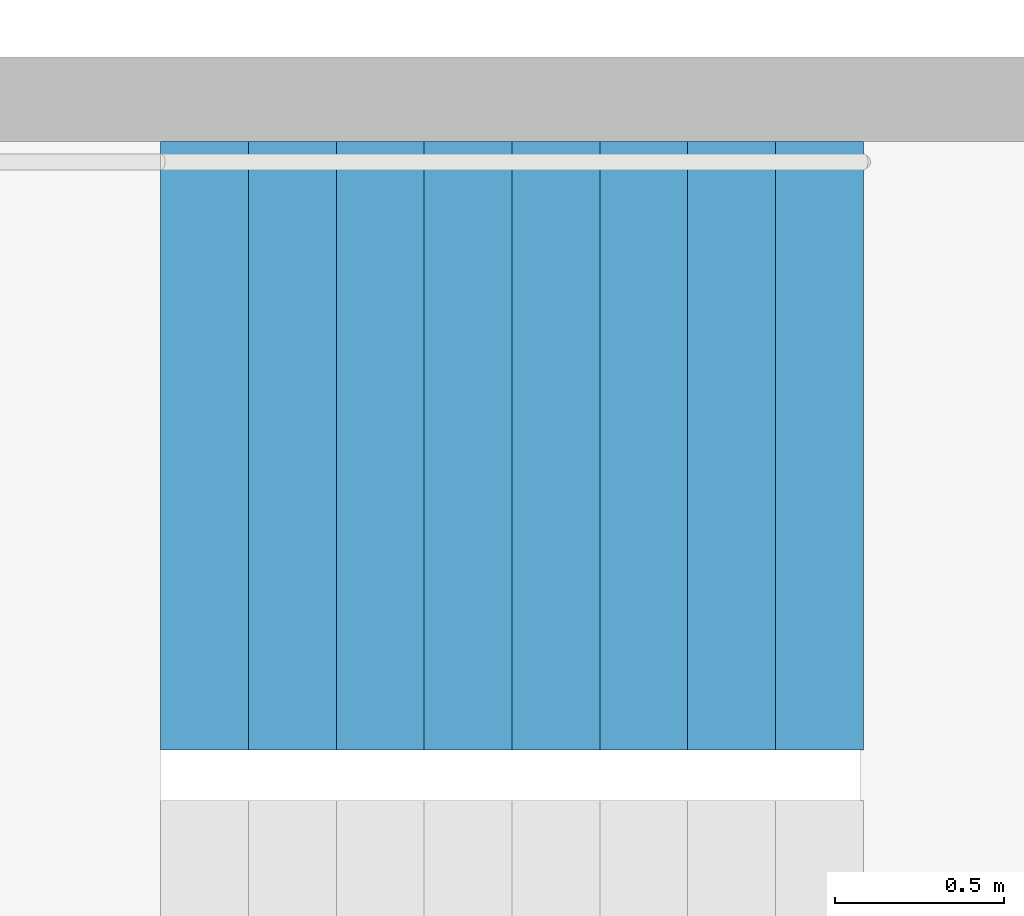
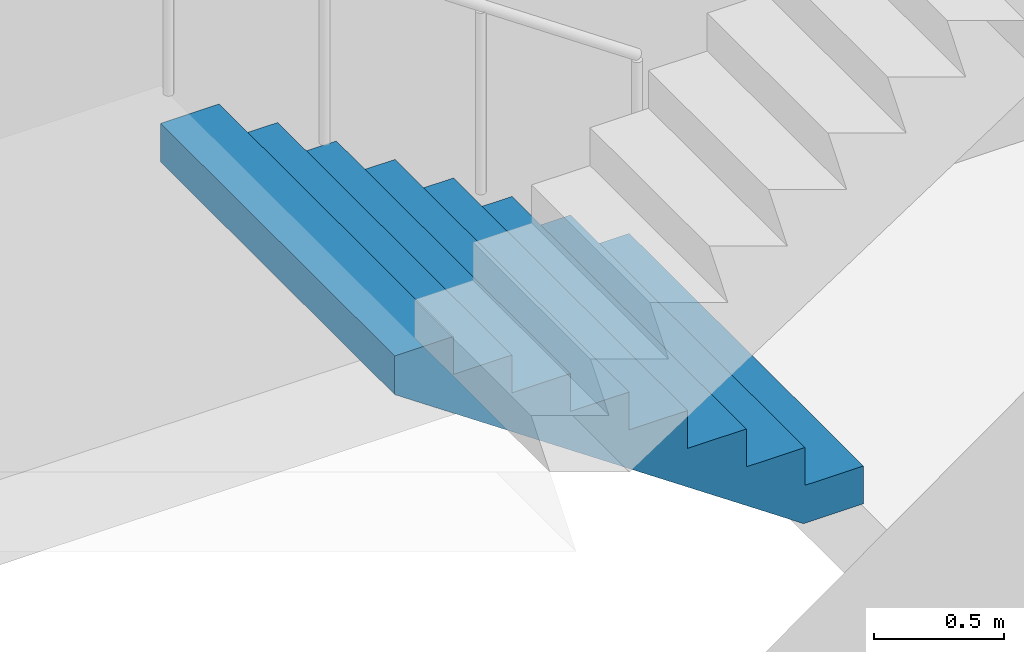
# One storey, part 22 of 29: 1 stair flight, 1 element without a shape of its own.
"""IFC4 building model written with IfcOpenShell, lengths in metres."""

from ifc_helpers import new_model, si_unit, direction, frame, origin, place, context, subcontext, project, spatial, triangles, material, type_object, element, aggregate, save


model = new_model("IFC4")

# Units and contexts
model_context = context("Model", 3, precision=1e-05, world=origin(), true_north=direction((0.0, 1.0)))
body_context = subcontext(model_context, "Body", "Model", "MODEL_VIEW")
ifc_project = project(units=[si_unit("LENGTHUNIT", "METRE"), si_unit("AREAUNIT", "SQUARE_METRE"), si_unit("VOLUMEUNIT", "CUBIC_METRE"), si_unit("PLANEANGLEUNIT", "RADIAN"), si_unit("MASSUNIT", "GRAM", prefix="KILO")], contexts=[model_context])

# Site, building, storey
site_placement = place(None, origin())
site = spatial("IfcSite", under=ifc_project, at=site_placement, CompositionType="ELEMENT")
building_placement = place(site_placement, origin())
building = spatial("IfcBuilding", under=site, at=building_placement, Name="Hakoniwa Tower and Hamabe Station Hall", CompositionType="ELEMENT")
storey_placement = place(building_placement, frame((0.0, 0.0, 85.0)))
storey = spatial("IfcBuildingStorey", under=building, at=storey_placement, Name="L23", CompositionType="ELEMENT", Elevation=85.0)

# Stair, stair flight
ifc_material_1 = material(Name="Concrete C40", Category="concrete")
stair_type = type_object("IfcStairType", Name="ESCAPE STAIR 1800", PredefinedType="HALF_TURN_STAIR", material=ifc_material_1)
stair_placement = place(storey_placement, origin())
stair = element("IfcStair", 1, at=stair_placement, inside=storey, type_object=stair_type, Name="Escape stair ST-2 L23", PredefinedType="HALF_TURN_STAIR")
ifc_material_2 = material(Name="Concrete C40", Category="concrete")
stair_flight_type = type_object("IfcStairFlightType", Name="STAIR FLIGHT 1800", PredefinedType="STRAIGHT", material=ifc_material_2)
stair_flight_placement = place(storey_placement, frame((-23.39990234375, -4.64990234375, 0.0), z_axis=(0.0, 0.0, 1.0), x_axis=(-1.0, 0.0, 0.0)))
stair_flight = element("IfcStairFlight", 2, at=stair_flight_placement, type_object=stair_flight_type, Name="ST-2 flight 1", NumberOfRisers=9, NumberOfTreads=8, PredefinedType="STRAIGHT", RiserHeight=0.177777778, TreadLength=0.26, context=body_context, shape_type="Tessellation", body=[
    triangles([(0.0, 0.89990234375, 0.0), (0.260009765625, 0.89990234375, 0.0), (0.265625, 0.89990234375, 0.0), (0.52001953125, 0.89990234375, 0.174072265625), (0.780029296875, 0.89990234375, 0.351806640625), (1.0400390625, 0.89990234375, 0.529541015625), (1.300048828125, 0.89990234375, 0.707275390625), (1.56005859375, 0.89990234375, 0.885009765625), (1.820068359375, 0.89990234375, 1.062744140625), (2.080078125, 0.89990234375, 1.24072265625), (2.080078125, 0.89990234375, 1.422119140625), (1.820068359375, 0.89990234375, 1.422119140625), (1.820068359375, 0.89990234375, 1.244384765625), (1.56005859375, 0.89990234375, 1.244384765625), (1.56005859375, 0.89990234375, 1.066650390625), (1.300048828125, 0.89990234375, 1.066650390625), (1.300048828125, 0.89990234375, 0.888916015625), (1.0400390625, 0.89990234375, 0.888916015625), (1.0400390625, 0.89990234375, 0.711181640625), (0.780029296875, 0.89990234375, 0.711181640625), (0.780029296875, 0.89990234375, 0.533447265625), (0.52001953125, 0.89990234375, 0.533447265625), (0.52001953125, 0.89990234375, 0.35546875), (0.265625, 0.89990234375, 0.35546875), (0.260009765625, 0.89990234375, 0.35546875), (0.260009765625, 0.89990234375, 0.177734375), (0.0, 0.89990234375, 0.177734375), (0.0, 0.06005859375, 0.0), (0.260009765625, 0.06005859375, 0.0), (0.265625, 0.06005859375, 0.0), (0.52001953125, 0.06005859375, 0.174072265625), (0.780029296875, 0.06005859375, 0.351806640625), (1.0400390625, 0.06005859375, 0.529541015625), (1.300048828125, 0.06005859375, 0.707275390625), (1.56005859375, 0.06005859375, 0.885009765625), (1.820068359375, 0.06005859375, 1.062744140625), (2.080078125, 0.06005859375, 1.24072265625), (2.080078125, 0.06005859375, 1.422119140625), (1.820068359375, 0.06005859375, 1.422119140625), (1.820068359375, 0.06005859375, 1.244384765625), (1.56005859375, 0.06005859375, 1.244384765625), (1.56005859375, 0.06005859375, 1.066650390625), (1.300048828125, 0.06005859375, 1.066650390625), (1.300048828125, 0.06005859375, 0.888916015625), (1.0400390625, 0.06005859375, 0.888916015625), (1.0400390625, 0.06005859375, 0.711181640625), (0.780029296875, 0.06005859375, 0.711181640625), (0.780029296875, 0.06005859375, 0.533447265625), (0.52001953125, 0.06005859375, 0.533447265625), (0.52001953125, 0.06005859375, 0.35546875), (0.265625, 0.06005859375, 0.35546875), (0.260009765625, 0.06005859375, 0.35546875), (0.260009765625, 0.06005859375, 0.177734375), (0.0, 0.06005859375, 0.177734375), (0.0, 0.04296875, 0.0), (0.260009765625, 0.04296875, 0.0), (0.265625, 0.04296875, 0.0), (0.52001953125, 0.04296875, 0.174072265625), (0.780029296875, 0.04296875, 0.351806640625), (1.0400390625, 0.04296875, 0.529541015625), (1.300048828125, 0.04296875, 0.707275390625), (1.56005859375, 0.04296875, 0.885009765625), (1.820068359375, 0.04296875, 1.062744140625), (2.080078125, 0.04296875, 1.24072265625), (2.080078125, 0.04296875, 1.422119140625), (1.820068359375, 0.04296875, 1.422119140625), (1.820068359375, 0.04296875, 1.244384765625), (1.56005859375, 0.04296875, 1.244384765625), (1.56005859375, 0.04296875, 1.066650390625), (1.300048828125, 0.04296875, 1.066650390625), (1.300048828125, 0.04296875, 0.888916015625), (1.0400390625, 0.04296875, 0.888916015625), (1.0400390625, 0.04296875, 0.711181640625), (0.780029296875, 0.04296875, 0.711181640625), (0.780029296875, 0.04296875, 0.533447265625), (0.52001953125, 0.04296875, 0.533447265625), (0.52001953125, 0.04296875, 0.35546875), (0.265625, 0.04296875, 0.35546875), (0.260009765625, 0.04296875, 0.35546875), (0.260009765625, 0.04296875, 0.177734375), (0.0, 0.04296875, 0.177734375), (0.0, 0.025634765625, 0.0), (0.260009765625, 0.025634765625, 0.0), (0.265625, 0.025634765625, 0.0), (0.52001953125, 0.025634765625, 0.174072265625), (0.780029296875, 0.025634765625, 0.351806640625), (1.0400390625, 0.025634765625, 0.529541015625), (1.300048828125, 0.025634765625, 0.707275390625), (1.56005859375, 0.025634765625, 0.885009765625), (1.820068359375, 0.025634765625, 1.062744140625), (2.080078125, 0.025634765625, 1.24072265625), (2.080078125, 0.025634765625, 1.422119140625), (1.820068359375, 0.025634765625, 1.422119140625), (1.820068359375, 0.025634765625, 1.244384765625), (1.56005859375, 0.025634765625, 1.244384765625), (1.56005859375, 0.025634765625, 1.066650390625), (1.300048828125, 0.025634765625, 1.066650390625), (1.300048828125, 0.025634765625, 0.888916015625), (1.0400390625, 0.025634765625, 0.888916015625), (1.0400390625, 0.025634765625, 0.711181640625), (0.780029296875, 0.025634765625, 0.711181640625), (0.780029296875, 0.025634765625, 0.533447265625), (0.52001953125, 0.025634765625, 0.533447265625), (0.52001953125, 0.025634765625, 0.35546875), (0.265625, 0.025634765625, 0.35546875), (0.260009765625, 0.025634765625, 0.35546875), (0.260009765625, 0.025634765625, 0.177734375), (0.0, 0.025634765625, 0.177734375), (0.0, 0.008544921875, 0.0), (0.260009765625, 0.008544921875, 0.0), (0.265625, 0.008544921875, 0.0), (0.52001953125, 0.008544921875, 0.174072265625), (0.780029296875, 0.008544921875, 0.351806640625), (1.0400390625, 0.008544921875, 0.529541015625), (1.300048828125, 0.008544921875, 0.707275390625), (1.56005859375, 0.008544921875, 0.885009765625), (1.820068359375, 0.008544921875, 1.062744140625), (2.080078125, 0.008544921875, 1.24072265625), (2.080078125, 0.008544921875, 1.422119140625), (1.820068359375, 0.008544921875, 1.422119140625), (1.820068359375, 0.008544921875, 1.244384765625), (1.56005859375, 0.008544921875, 1.244384765625), (1.56005859375, 0.008544921875, 1.066650390625), (1.300048828125, 0.008544921875, 1.066650390625), (1.300048828125, 0.008544921875, 0.888916015625), (1.0400390625, 0.008544921875, 0.888916015625), (1.0400390625, 0.008544921875, 0.711181640625), (0.780029296875, 0.008544921875, 0.711181640625), (0.780029296875, 0.008544921875, 0.533447265625), (0.52001953125, 0.008544921875, 0.533447265625), (0.52001953125, 0.008544921875, 0.35546875), (0.265625, 0.008544921875, 0.35546875), (0.260009765625, 0.008544921875, 0.35546875), (0.260009765625, 0.008544921875, 0.177734375), (0.0, 0.008544921875, 0.177734375), (0.0, -0.008544921875, 0.0), (0.260009765625, -0.008544921875, 0.0), (0.265625, -0.008544921875, 0.0), (0.52001953125, -0.008544921875, 0.174072265625), (0.780029296875, -0.008544921875, 0.351806640625), (1.0400390625, -0.008544921875, 0.529541015625), (1.300048828125, -0.008544921875, 0.707275390625), (1.56005859375, -0.008544921875, 0.885009765625), (1.820068359375, -0.008544921875, 1.062744140625), (2.080078125, -0.008544921875, 1.24072265625), (2.080078125, -0.008544921875, 1.422119140625), (1.820068359375, -0.008544921875, 1.422119140625), (1.820068359375, -0.008544921875, 1.244384765625), (1.56005859375, -0.008544921875, 1.244384765625), (1.56005859375, -0.008544921875, 1.066650390625), (1.300048828125, -0.008544921875, 1.066650390625), (1.300048828125, -0.008544921875, 0.888916015625), (1.0400390625, -0.008544921875, 0.888916015625), (1.0400390625, -0.008544921875, 0.711181640625), (0.780029296875, -0.008544921875, 0.711181640625), (0.780029296875, -0.008544921875, 0.533447265625), (0.52001953125, -0.008544921875, 0.533447265625), (0.52001953125, -0.008544921875, 0.35546875), (0.265625, -0.008544921875, 0.35546875), (0.260009765625, -0.008544921875, 0.35546875), (0.260009765625, -0.008544921875, 0.177734375), (0.0, -0.008544921875, 0.177734375), (0.0, -0.025634765625, 0.0), (0.260009765625, -0.025634765625, 0.0), (0.265625, -0.025634765625, 0.0), (0.52001953125, -0.025634765625, 0.174072265625), (0.780029296875, -0.025634765625, 0.351806640625), (1.0400390625, -0.025634765625, 0.529541015625), (1.300048828125, -0.025634765625, 0.707275390625), (1.56005859375, -0.025634765625, 0.885009765625), (1.820068359375, -0.025634765625, 1.062744140625), (2.080078125, -0.025634765625, 1.24072265625), (2.080078125, -0.025634765625, 1.422119140625), (1.820068359375, -0.025634765625, 1.422119140625), (1.820068359375, -0.025634765625, 1.244384765625), (1.56005859375, -0.025634765625, 1.244384765625), (1.56005859375, -0.025634765625, 1.066650390625), (1.300048828125, -0.025634765625, 1.066650390625), (1.300048828125, -0.025634765625, 0.888916015625), (1.0400390625, -0.025634765625, 0.888916015625), (1.0400390625, -0.025634765625, 0.711181640625), (0.780029296875, -0.025634765625, 0.711181640625), (0.780029296875, -0.025634765625, 0.533447265625), (0.52001953125, -0.025634765625, 0.533447265625), (0.52001953125, -0.025634765625, 0.35546875), (0.265625, -0.025634765625, 0.35546875), (0.260009765625, -0.025634765625, 0.35546875), (0.260009765625, -0.025634765625, 0.177734375), (0.0, -0.025634765625, 0.177734375), (0.0, -0.04296875, 0.0), (0.260009765625, -0.04296875, 0.0), (0.265625, -0.04296875, 0.0), (0.52001953125, -0.04296875, 0.174072265625), (0.780029296875, -0.04296875, 0.351806640625), (1.0400390625, -0.04296875, 0.529541015625), (1.300048828125, -0.04296875, 0.707275390625), (1.56005859375, -0.04296875, 0.885009765625), (1.820068359375, -0.04296875, 1.062744140625), (2.080078125, -0.04296875, 1.24072265625), (2.080078125, -0.04296875, 1.422119140625), (1.820068359375, -0.04296875, 1.422119140625), (1.820068359375, -0.04296875, 1.244384765625), (1.56005859375, -0.04296875, 1.244384765625), (1.56005859375, -0.04296875, 1.066650390625), (1.300048828125, -0.04296875, 1.066650390625), (1.300048828125, -0.04296875, 0.888916015625), (1.0400390625, -0.04296875, 0.888916015625), (1.0400390625, -0.04296875, 0.711181640625), (0.780029296875, -0.04296875, 0.711181640625), (0.780029296875, -0.04296875, 0.533447265625), (0.52001953125, -0.04296875, 0.533447265625), (0.52001953125, -0.04296875, 0.35546875), (0.265625, -0.04296875, 0.35546875), (0.260009765625, -0.04296875, 0.35546875), (0.260009765625, -0.04296875, 0.177734375), (0.0, -0.04296875, 0.177734375), (0.0, -0.06005859375, 0.0), (0.260009765625, -0.06005859375, 0.0), (0.265625, -0.06005859375, 0.0), (0.52001953125, -0.06005859375, 0.174072265625), (0.780029296875, -0.06005859375, 0.351806640625), (1.0400390625, -0.06005859375, 0.529541015625), (1.300048828125, -0.06005859375, 0.707275390625), (1.56005859375, -0.06005859375, 0.885009765625), (1.820068359375, -0.06005859375, 1.062744140625), (2.080078125, -0.06005859375, 1.24072265625), (2.080078125, -0.06005859375, 1.422119140625), (1.820068359375, -0.06005859375, 1.422119140625), (1.820068359375, -0.06005859375, 1.244384765625), (1.56005859375, -0.06005859375, 1.244384765625), (1.56005859375, -0.06005859375, 1.066650390625), (1.300048828125, -0.06005859375, 1.066650390625), (1.300048828125, -0.06005859375, 0.888916015625), (1.0400390625, -0.06005859375, 0.888916015625), (1.0400390625, -0.06005859375, 0.711181640625), (0.780029296875, -0.06005859375, 0.711181640625), (0.780029296875, -0.06005859375, 0.533447265625), (0.52001953125, -0.06005859375, 0.533447265625), (0.52001953125, -0.06005859375, 0.35546875), (0.265625, -0.06005859375, 0.35546875), (0.260009765625, -0.06005859375, 0.35546875), (0.260009765625, -0.06005859375, 0.177734375), (0.0, -0.06005859375, 0.177734375), (0.0, -0.89990234375, 0.0), (0.260009765625, -0.89990234375, 0.0), (0.265625, -0.89990234375, 0.0), (0.52001953125, -0.89990234375, 0.174072265625), (0.780029296875, -0.89990234375, 0.351806640625), (1.0400390625, -0.89990234375, 0.529541015625), (1.300048828125, -0.89990234375, 0.707275390625), (1.56005859375, -0.89990234375, 0.885009765625), (1.820068359375, -0.89990234375, 1.062744140625), (2.080078125, -0.89990234375, 1.24072265625), (2.080078125, -0.89990234375, 1.422119140625), (1.820068359375, -0.89990234375, 1.422119140625), (1.820068359375, -0.89990234375, 1.244384765625), (1.56005859375, -0.89990234375, 1.244384765625), (1.56005859375, -0.89990234375, 1.066650390625), (1.300048828125, -0.89990234375, 1.066650390625), (1.300048828125, -0.89990234375, 0.888916015625), (1.0400390625, -0.89990234375, 0.888916015625), (1.0400390625, -0.89990234375, 0.711181640625), (0.780029296875, -0.89990234375, 0.711181640625), (0.780029296875, -0.89990234375, 0.533447265625), (0.52001953125, -0.89990234375, 0.533447265625), (0.52001953125, -0.89990234375, 0.35546875), (0.265625, -0.89990234375, 0.35546875), (0.260009765625, -0.89990234375, 0.35546875), (0.260009765625, -0.89990234375, 0.177734375), (0.0, -0.89990234375, 0.177734375)], [[2, 27, 26], [245, 269, 270], [2, 1, 27], [245, 270, 244], [3, 25, 24], [246, 267, 268], [3, 26, 25], [246, 268, 269], [3, 2, 26], [246, 269, 245], [4, 24, 23], [247, 266, 267], [4, 3, 24], [247, 267, 246], [5, 22, 21], [248, 264, 265], [5, 23, 22], [248, 265, 266], [5, 4, 23], [248, 266, 247], [6, 20, 19], [249, 262, 263], [6, 21, 20], [249, 263, 264], [6, 5, 21], [249, 264, 248], [7, 18, 17], [250, 260, 261], [7, 19, 18], [250, 261, 262], [7, 6, 19], [250, 262, 249], [8, 16, 15], [251, 258, 259], [8, 17, 16], [251, 259, 260], [8, 7, 17], [251, 260, 250], [9, 14, 13], [252, 256, 257], [9, 15, 14], [252, 257, 258], [9, 8, 15], [252, 258, 251], [10, 12, 11], [253, 254, 255], [10, 13, 12], [253, 255, 256], [10, 9, 13], [253, 256, 252], [1, 2, 29], [1, 29, 28], [28, 29, 56], [28, 56, 55], [55, 56, 83], [55, 83, 82], [82, 83, 110], [82, 110, 109], [109, 110, 137], [109, 137, 136], [136, 137, 164], [136, 164, 163], [163, 164, 191], [163, 191, 190], [190, 191, 218], [190, 218, 217], [217, 218, 245], [217, 245, 244], [2, 3, 30], [2, 30, 29], [29, 30, 57], [29, 57, 56], [56, 57, 84], [56, 84, 83], [83, 84, 111], [83, 111, 110], [110, 111, 138], [110, 138, 137], [137, 138, 165], [137, 165, 164], [164, 165, 192], [164, 192, 191], [191, 192, 219], [191, 219, 218], [218, 219, 246], [218, 246, 245], [3, 4, 31], [3, 31, 30], [30, 31, 58], [30, 58, 57], [57, 58, 85], [57, 85, 84], [84, 85, 112], [84, 112, 111], [111, 112, 139], [111, 139, 138], [138, 139, 166], [138, 166, 165], [165, 166, 193], [165, 193, 192], [192, 193, 220], [192, 220, 219], [219, 220, 247], [219, 247, 246], [4, 5, 32], [4, 32, 31], [31, 32, 59], [31, 59, 58], [58, 59, 86], [58, 86, 85], [85, 86, 113], [85, 113, 112], [112, 113, 140], [112, 140, 139], [139, 140, 167], [139, 167, 166], [166, 167, 194], [166, 194, 193], [193, 194, 221], [193, 221, 220], [220, 221, 248], [220, 248, 247], [5, 6, 33], [5, 33, 32], [32, 33, 60], [32, 60, 59], [59, 60, 87], [59, 87, 86], [86, 87, 114], [86, 114, 113], [113, 114, 141], [113, 141, 140], [140, 141, 168], [140, 168, 167], [167, 168, 195], [167, 195, 194], [194, 195, 222], [194, 222, 221], [221, 222, 249], [221, 249, 248], [6, 7, 34], [6, 34, 33], [33, 34, 61], [33, 61, 60], [60, 61, 88], [60, 88, 87], [87, 88, 115], [87, 115, 114], [114, 115, 142], [114, 142, 141], [141, 142, 169], [141, 169, 168], [168, 169, 196], [168, 196, 195], [195, 196, 223], [195, 223, 222], [222, 223, 250], [222, 250, 249], [7, 8, 35], [7, 35, 34], [34, 35, 62], [34, 62, 61], [61, 62, 89], [61, 89, 88], [88, 89, 116], [88, 116, 115], [115, 116, 143], [115, 143, 142], [142, 143, 170], [142, 170, 169], [169, 170, 197], [169, 197, 196], [196, 197, 224], [196, 224, 223], [223, 224, 251], [223, 251, 250], [8, 9, 36], [8, 36, 35], [35, 36, 63], [35, 63, 62], [62, 63, 90], [62, 90, 89], [89, 90, 117], [89, 117, 116], [116, 117, 144], [116, 144, 143], [143, 144, 171], [143, 171, 170], [170, 171, 198], [170, 198, 197], [197, 198, 225], [197, 225, 224], [224, 225, 252], [224, 252, 251], [9, 10, 37], [9, 37, 36], [36, 37, 64], [36, 64, 63], [63, 64, 91], [63, 91, 90], [90, 91, 118], [90, 118, 117], [117, 118, 145], [117, 145, 144], [144, 145, 172], [144, 172, 171], [171, 172, 199], [171, 199, 198], [198, 199, 226], [198, 226, 225], [225, 226, 253], [225, 253, 252], [10, 11, 38], [10, 38, 37], [37, 38, 65], [37, 65, 64], [64, 65, 92], [64, 92, 91], [91, 92, 119], [91, 119, 118], [118, 119, 146], [118, 146, 145], [145, 146, 173], [145, 173, 172], [172, 173, 200], [172, 200, 199], [199, 200, 227], [199, 227, 226], [226, 227, 254], [226, 254, 253], [11, 12, 39], [11, 39, 38], [38, 39, 66], [38, 66, 65], [65, 66, 93], [65, 93, 92], [92, 93, 120], [92, 120, 119], [119, 120, 147], [119, 147, 146], [146, 147, 174], [146, 174, 173], [173, 174, 201], [173, 201, 200], [200, 201, 228], [200, 228, 227], [227, 228, 255], [227, 255, 254], [12, 13, 40], [12, 40, 39], [39, 40, 67], [39, 67, 66], [66, 67, 94], [66, 94, 93], [93, 94, 121], [93, 121, 120], [120, 121, 148], [120, 148, 147], [147, 148, 175], [147, 175, 174], [174, 175, 202], [174, 202, 201], [201, 202, 229], [201, 229, 228], [228, 229, 256], [228, 256, 255], [13, 14, 41], [13, 41, 40], [40, 41, 68], [40, 68, 67], [67, 68, 95], [67, 95, 94], [94, 95, 122], [94, 122, 121], [121, 122, 149], [121, 149, 148], [148, 149, 176], [148, 176, 175], [175, 176, 203], [175, 203, 202], [202, 203, 230], [202, 230, 229], [229, 230, 257], [229, 257, 256], [14, 15, 42], [14, 42, 41], [41, 42, 69], [41, 69, 68], [68, 69, 96], [68, 96, 95], [95, 96, 123], [95, 123, 122], [122, 123, 150], [122, 150, 149], [149, 150, 177], [149, 177, 176], [176, 177, 204], [176, 204, 203], [203, 204, 231], [203, 231, 230], [230, 231, 258], [230, 258, 257], [15, 16, 43], [15, 43, 42], [42, 43, 70], [42, 70, 69], [69, 70, 97], [69, 97, 96], [96, 97, 124], [96, 124, 123], [123, 124, 151], [123, 151, 150], [150, 151, 178], [150, 178, 177], [177, 178, 205], [177, 205, 204], [204, 205, 232], [204, 232, 231], [231, 232, 259], [231, 259, 258], [16, 17, 44], [16, 44, 43], [43, 44, 71], [43, 71, 70], [70, 71, 98], [70, 98, 97], [97, 98, 125], [97, 125, 124], [124, 125, 152], [124, 152, 151], [151, 152, 179], [151, 179, 178], [178, 179, 206], [178, 206, 205], [205, 206, 233], [205, 233, 232], [232, 233, 260], [232, 260, 259], [17, 18, 45], [17, 45, 44], [44, 45, 72], [44, 72, 71], [71, 72, 99], [71, 99, 98], [98, 99, 126], [98, 126, 125], [125, 126, 153], [125, 153, 152], [152, 153, 180], [152, 180, 179], [179, 180, 207], [179, 207, 206], [206, 207, 234], [206, 234, 233], [233, 234, 261], [233, 261, 260], [18, 19, 46], [18, 46, 45], [45, 46, 73], [45, 73, 72], [72, 73, 100], [72, 100, 99], [99, 100, 127], [99, 127, 126], [126, 127, 154], [126, 154, 153], [153, 154, 181], [153, 181, 180], [180, 181, 208], [180, 208, 207], [207, 208, 235], [207, 235, 234], [234, 235, 262], [234, 262, 261], [19, 20, 47], [19, 47, 46], [46, 47, 74], [46, 74, 73], [73, 74, 101], [73, 101, 100], [100, 101, 128], [100, 128, 127], [127, 128, 155], [127, 155, 154], [154, 155, 182], [154, 182, 181], [181, 182, 209], [181, 209, 208], [208, 209, 236], [208, 236, 235], [235, 236, 263], [235, 263, 262], [20, 21, 48], [20, 48, 47], [47, 48, 75], [47, 75, 74], [74, 75, 102], [74, 102, 101], [101, 102, 129], [101, 129, 128], [128, 129, 156], [128, 156, 155], [155, 156, 183], [155, 183, 182], [182, 183, 210], [182, 210, 209], [209, 210, 237], [209, 237, 236], [236, 237, 264], [236, 264, 263], [21, 22, 49], [21, 49, 48], [48, 49, 76], [48, 76, 75], [75, 76, 103], [75, 103, 102], [102, 103, 130], [102, 130, 129], [129, 130, 157], [129, 157, 156], [156, 157, 184], [156, 184, 183], [183, 184, 211], [183, 211, 210], [210, 211, 238], [210, 238, 237], [237, 238, 265], [237, 265, 264], [22, 23, 50], [22, 50, 49], [49, 50, 77], [49, 77, 76], [76, 77, 104], [76, 104, 103], [103, 104, 131], [103, 131, 130], [130, 131, 158], [130, 158, 157], [157, 158, 185], [157, 185, 184], [184, 185, 212], [184, 212, 211], [211, 212, 239], [211, 239, 238], [238, 239, 266], [238, 266, 265], [23, 24, 51], [23, 51, 50], [50, 51, 78], [50, 78, 77], [77, 78, 105], [77, 105, 104], [104, 105, 132], [104, 132, 131], [131, 132, 159], [131, 159, 158], [158, 159, 186], [158, 186, 185], [185, 186, 213], [185, 213, 212], [212, 213, 240], [212, 240, 239], [239, 240, 267], [239, 267, 266], [24, 25, 52], [24, 52, 51], [51, 52, 79], [51, 79, 78], [78, 79, 106], [78, 106, 105], [105, 106, 133], [105, 133, 132], [132, 133, 160], [132, 160, 159], [159, 160, 187], [159, 187, 186], [186, 187, 214], [186, 214, 213], [213, 214, 241], [213, 241, 240], [240, 241, 268], [240, 268, 267], [25, 26, 53], [25, 53, 52], [52, 53, 80], [52, 80, 79], [79, 80, 107], [79, 107, 106], [106, 107, 134], [106, 134, 133], [133, 134, 161], [133, 161, 160], [160, 161, 188], [160, 188, 187], [187, 188, 215], [187, 215, 214], [214, 215, 242], [214, 242, 241], [241, 242, 269], [241, 269, 268], [26, 27, 54], [26, 54, 53], [53, 54, 81], [53, 81, 80], [80, 81, 108], [80, 108, 107], [107, 108, 135], [107, 135, 134], [134, 135, 162], [134, 162, 161], [161, 162, 189], [161, 189, 188], [188, 189, 216], [188, 216, 215], [215, 216, 243], [215, 243, 242], [242, 243, 270], [242, 270, 269], [27, 1, 28], [27, 28, 54], [54, 28, 55], [54, 55, 81], [81, 55, 82], [81, 82, 108], [108, 82, 109], [108, 109, 135], [135, 109, 136], [135, 136, 162], [162, 136, 163], [162, 163, 189], [189, 163, 190], [189, 190, 216], [216, 190, 217], [216, 217, 243], [243, 217, 244], [243, 244, 270]], closed=True),
])
aggregate(stair, [stair_flight])

save(model, "model.ifc")
